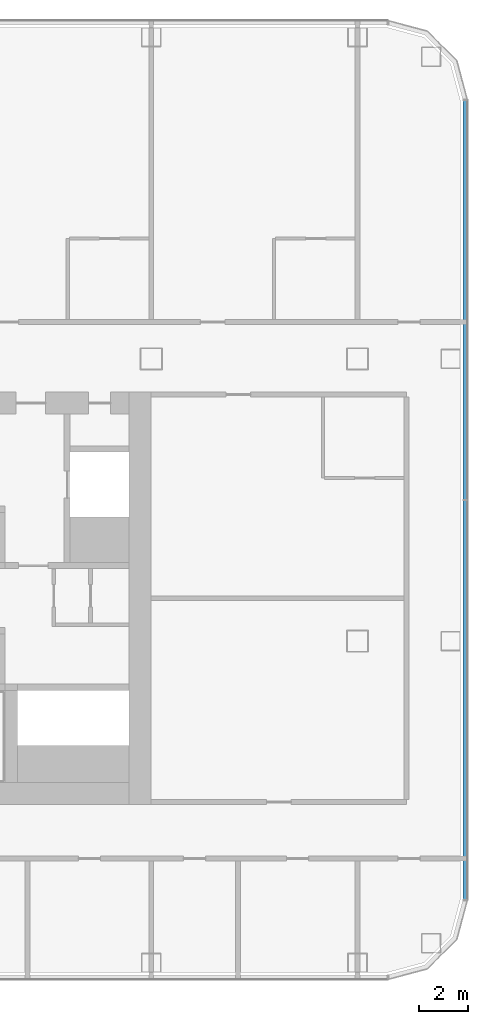
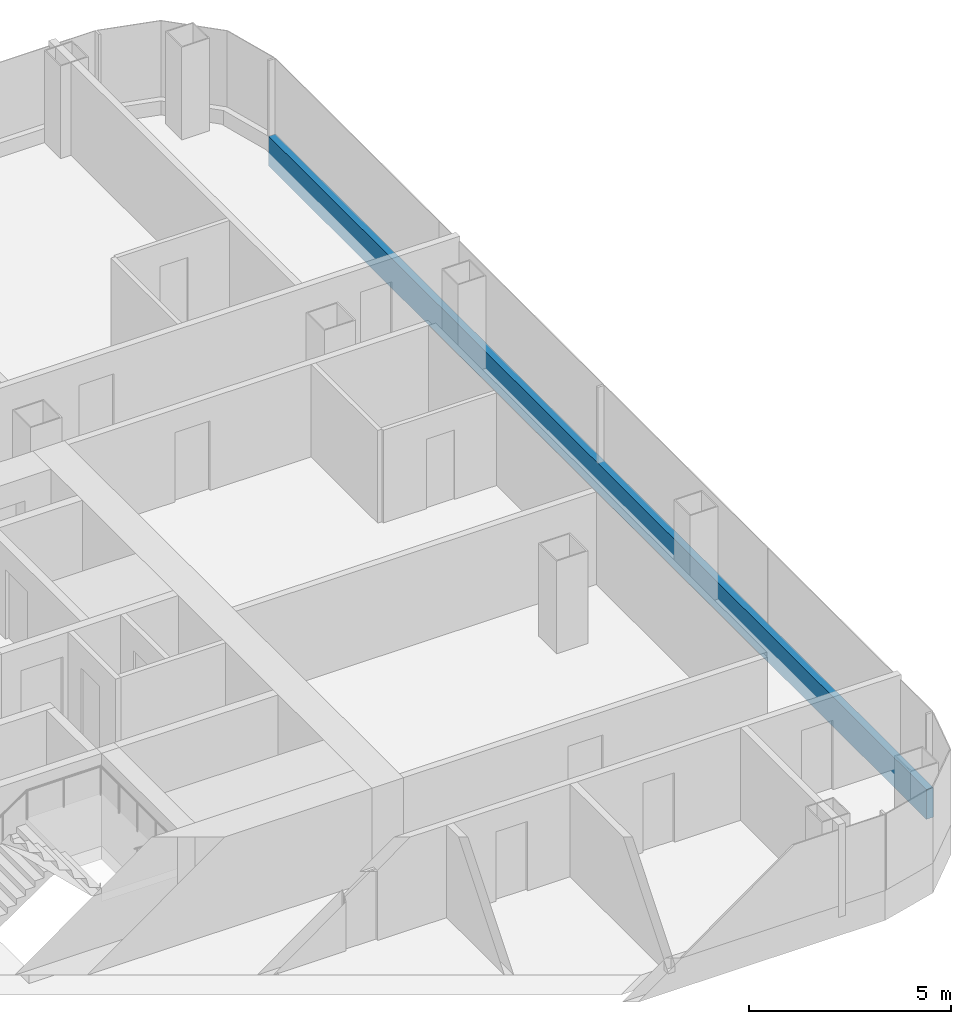
# One storey, part 12 of 29: 1 member, 1 element without a shape of its own.
"""IFC4 building model written with IfcOpenShell, lengths in metres."""

from ifc_helpers import new_model, si_unit, direction, frame, origin, origin_2d, place, context, subcontext, project, spatial, rectangle, extrude, material, layer, layer_set, material_profile, profile_set, type_object, element, aggregate, save


model = new_model("IFC4")

# Units and contexts
model_context = context("Model", 3, precision=1e-05, world=origin(), true_north=direction((0.0, 1.0)))
body_context = subcontext(model_context, "Body", "Model", "MODEL_VIEW")
ifc_project = project(units=[si_unit("LENGTHUNIT", "METRE"), si_unit("AREAUNIT", "SQUARE_METRE"), si_unit("VOLUMEUNIT", "CUBIC_METRE"), si_unit("PLANEANGLEUNIT", "RADIAN"), si_unit("MASSUNIT", "GRAM", prefix="KILO")], contexts=[model_context])

# Site, building, storey
site_placement = place(None, origin())
site = spatial("IfcSite", under=ifc_project, at=site_placement, CompositionType="ELEMENT")
building_placement = place(site_placement, origin())
building = spatial("IfcBuilding", under=site, at=building_placement, Name="Hakoniwa Tower and Hamabe Station Hall", CompositionType="ELEMENT")
storey_placement = place(building_placement, frame((0.0, 0.0, 91.39990234375)))
storey = spatial("IfcBuildingStorey", under=building, at=storey_placement, Name="L25", CompositionType="ELEMENT", Elevation=91.39990234375)

# Curtain wall, member
ifc_material_1 = material(Name="Dark low-e laminated glass", Category="glass")
ifc_layer = layer(ifc_material_1, 0.199951171875)
ifc_layer_set = layer_set([ifc_layer], Name="CW-1 UNITISED GUEST")
curtain_wall_type = type_object("IfcCurtainWallType", Name="CW-1 UNITISED GUEST", PredefinedType="NOTDEFINED", material=ifc_layer_set)
curtain_wall_placement = place(storey_placement, origin())
curtain_wall = element("IfcCurtainWall", 1, at=curtain_wall_placement, inside=storey, type_object=curtain_wall_type, Name="CW-1 curtain wall", PredefinedType="NOTDEFINED")
ifc_material_2 = material(Name="Aluminium 6063-T5 black anodised", Category="aluminium")
ifc_material_profile = material_profile(ifc_material_2, rectangle(XDim=0.199951171875, YDim=0.89990234375, at=origin_2d()), Name="CW SLAB-EDGE BAND 900X200")
ifc_profile_set = profile_set([ifc_material_profile], Name="Aluminium 6063-T5 black anodised")
member_type = type_object("IfcMemberType", Name="CW SLAB-EDGE BAND 900X200", PredefinedType="USERDEFINED", material=ifc_profile_set)
member_placement = place(storey_placement, frame((46.39990234375, -12.28955078125, -0.099853515625), z_axis=(0.0, 1.0, 0.0), x_axis=(-1.0, 0.0, 0.0)))
member = element("IfcMember", 2, at=member_placement, type_object=member_type, Name="CW-1 transom", ObjectType="TRANSOM", PredefinedType="USERDEFINED", context=body_context, shape_type="SweptSolid", body=[
    extrude(rectangle(XDim=0.199951171875, YDim=0.89990234375, at=origin_2d()), origin(), (0.0, 0.0, 1.0), 32.5791015625),
])
aggregate(curtain_wall, [member])

save(model, "model.ifc")
